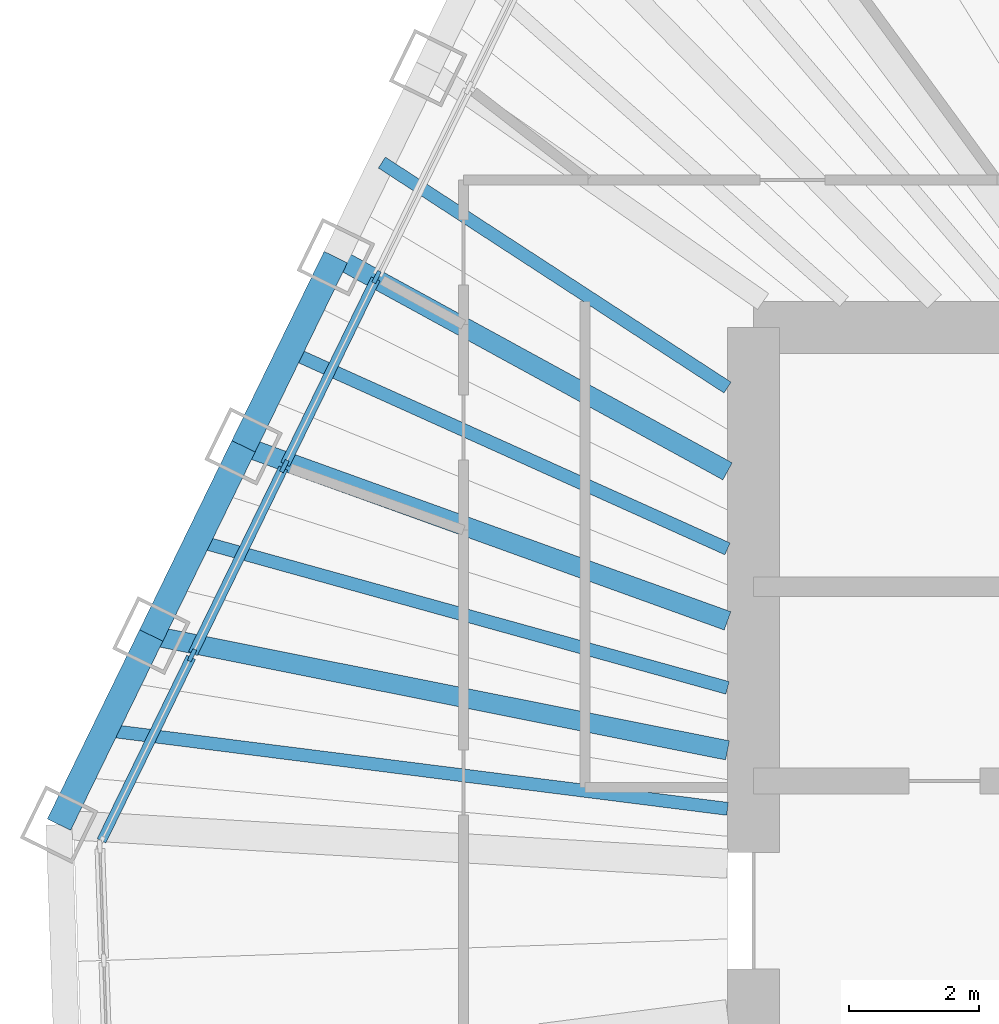
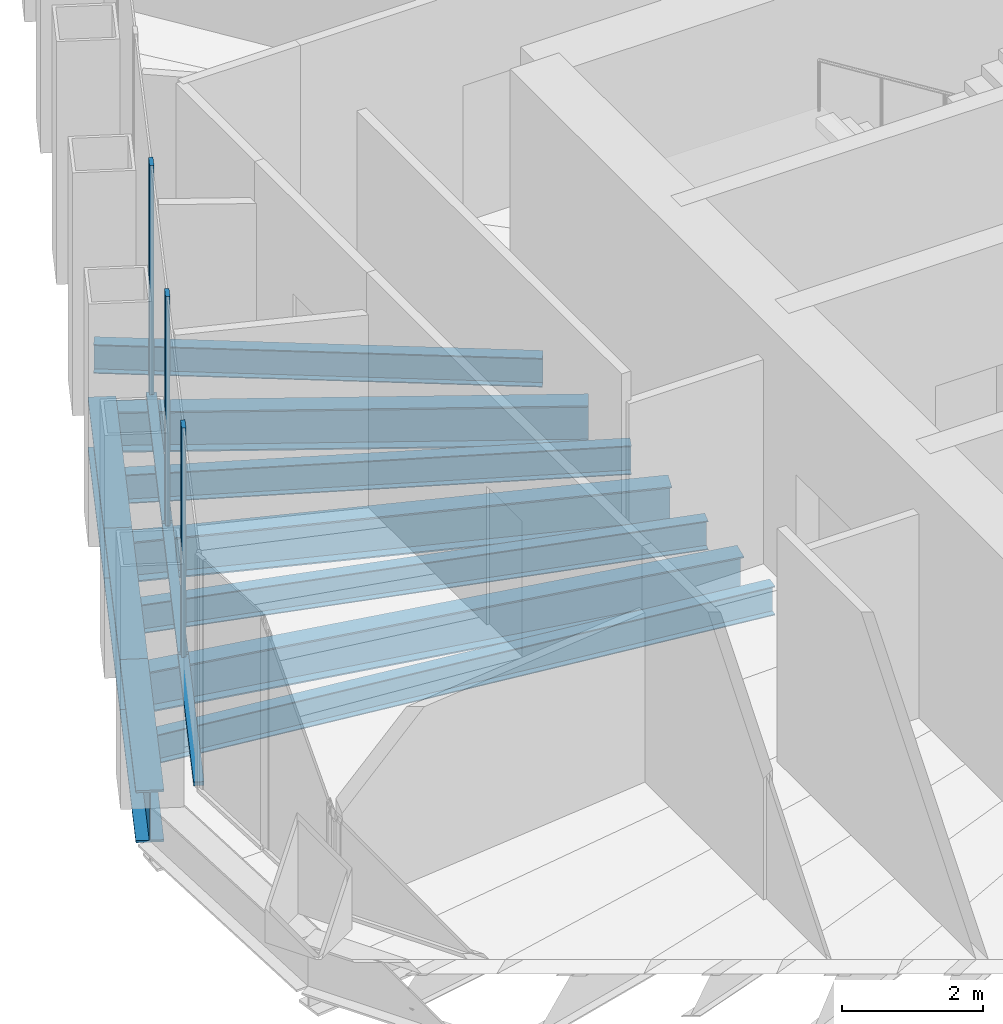
# One storey, part 4 of 15: 10 beams, 6 members, 1 element without a shape of its own.
"""IFC4 building model written with IfcOpenShell, lengths in metres."""

from ifc_helpers import new_model, si_unit, direction, frame, origin, origin_2d, place, context, subcontext, project, spatial, rectangle, i_section, extrude, material, material_profile, profile_set, type_object, element, aggregate, save


model = new_model("IFC4")

# Units and contexts
model_context = context("Model", 3, precision=1e-05, world=origin(), true_north=direction((0.0, 1.0)))
body_context = subcontext(model_context, "Body", "Model", "MODEL_VIEW")
ifc_project = project(units=[si_unit("LENGTHUNIT", "METRE"), si_unit("AREAUNIT", "SQUARE_METRE"), si_unit("VOLUMEUNIT", "CUBIC_METRE"), si_unit("PLANEANGLEUNIT", "RADIAN"), si_unit("MASSUNIT", "GRAM", prefix="KILO")], contexts=[model_context])

# Site, building, storey
site_placement = place(None, origin())
site = spatial("IfcSite", under=ifc_project, at=site_placement, CompositionType="ELEMENT")
building_placement = place(site_placement, origin())
building = spatial("IfcBuilding", under=site, at=building_placement, Name="Qingtian Harvest Tower", CompositionType="ELEMENT")
storey_placement = place(building_placement, frame((0.0, 0.0, 312.39990234375)))
storey = spatial("IfcBuildingStorey", under=building, at=storey_placement, Name="L69", CompositionType="ELEMENT", Elevation=312.39990234375)

# Beams
ifc_material_1 = material(Name="Steel SN490B", Category="steel")
ifc_material_profile_1 = material_profile(ifc_material_1, i_section(OverallWidth=0.300048828125, OverallDepth=0.699951171875, WebThickness=0.012939453125, FlangeThickness=0.02392578125, at=origin_2d()), Name="H700x300x13x24")
ifc_profile_set_1 = profile_set([ifc_material_profile_1], Name="Steel SN490B")
beam_type_1 = type_object("IfcBeamType", Name="Floor beam FB4 H700x300x13x24", PredefinedType="BEAM", material=ifc_profile_set_1)
beam_1_placement = place(storey_placement, frame((-21.29345703125, 4.246337890625, -0.52001953125), z_axis=(0.980692343585, -0.195556966723, 0.0), x_axis=(0.195556966723, 0.980692343585, 0.0)))
element("IfcBeam", 1, at=beam_1_placement, inside=storey, type_object=beam_type_1, Name="Floor beam FB4 NW1", PredefinedType="BEAM", context=body_context, shape_type="SweptSolid", body=[
    extrude(i_section(OverallWidth=0.300048828125, OverallDepth=0.699951171875, WebThickness=0.012939453125, FlangeThickness=0.02392578125, at=origin_2d()), origin(), (0.0, 0.0, 1.0), 9.068603515625),
])
beam_2_placement = place(storey_placement, frame((-19.86962890625, 7.165771484375, -0.52001953125), z_axis=(0.940696778834, -0.339248537641, 0.0), x_axis=(0.339248537641, 0.940696778834, 0.0)))
element("IfcBeam", 2, at=beam_2_placement, inside=storey, type_object=beam_type_1, Name="Floor beam FB4 NW2", PredefinedType="BEAM", context=body_context, shape_type="SweptSolid", body=[
    extrude(i_section(OverallWidth=0.300048828125, OverallDepth=0.699951171875, WebThickness=0.012939453125, FlangeThickness=0.02392578125, at=origin_2d()), origin(), (0.0, 0.0, 1.0), 7.940673828125),
])
beam_3_placement = place(storey_placement, frame((-18.44580078125, 10.0849609375, -0.52001953125), z_axis=(0.877427999734, -0.479708354402, 0.0), x_axis=(0.479708354402, 0.877427999734, 0.0)))
element("IfcBeam", 3, at=beam_3_placement, inside=storey, type_object=beam_type_1, Name="Floor beam FB4 NW3", PredefinedType="BEAM", context=body_context, shape_type="SweptSolid", body=[
    extrude(i_section(OverallWidth=0.300048828125, OverallDepth=0.699951171875, WebThickness=0.012939453125, FlangeThickness=0.02392578125, at=origin_2d()), origin(), (0.0, 0.0, 1.0), 6.890380859375),
])
ifc_material_2 = material(Name="Steel SN490B", Category="steel")
ifc_material_profile_2 = material_profile(ifc_material_2, i_section(OverallWidth=0.199951171875, OverallDepth=0.5, WebThickness=0.010009765625, FlangeThickness=0.01611328125, at=origin_2d()), Name="H500x200x10x16")
ifc_profile_set_2 = profile_set([ifc_material_profile_2], Name="Steel SN490B")
beam_type_2 = type_object("IfcBeamType", Name="Floor joist J3 H500x200x10x16", PredefinedType="JOIST", material=ifc_profile_set_2)
beam_4_placement = place(storey_placement, frame((-22.00537109375, 2.78662109375, -0.419921875), z_axis=(0.992077984062, -0.125623538954, 0.0), x_axis=(0.125623538954, 0.992077984062, 0.0)))
element("IfcBeam", 4, at=beam_4_placement, inside=storey, type_object=beam_type_2, Name="Floor joist J3 NW0", PredefinedType="JOIST", context=body_context, shape_type="SweptSolid", body=[
    extrude(i_section(OverallWidth=0.199951171875, OverallDepth=0.5, WebThickness=0.010009765625, FlangeThickness=0.01611328125, at=origin_2d()), origin(), (0.0, 0.0, 1.0), 9.68212890625),
])
beam_5_placement = place(storey_placement, frame((-20.58154296875, 5.7060546875, -0.419921875), z_axis=(0.963650445063, -0.267166277306, 0.0), x_axis=(0.267166277306, 0.963650445063, 0.0)))
element("IfcBeam", 5, at=beam_5_placement, inside=storey, type_object=beam_type_2, Name="Floor joist J3 NW1", PredefinedType="JOIST", context=body_context, shape_type="SweptSolid", body=[
    extrude(i_section(OverallWidth=0.199951171875, OverallDepth=0.5, WebThickness=0.010009765625, FlangeThickness=0.01611328125, at=origin_2d()), origin(), (0.0, 0.0, 1.0), 8.490234375),
])
beam_6_placement = place(storey_placement, frame((-19.15771484375, 8.625244140625, -0.419921875), z_axis=(0.911847523905, -0.410529040567, 0.0), x_axis=(0.410529040567, 0.911847523905, 0.0)))
element("IfcBeam", 6, at=beam_6_placement, inside=storey, type_object=beam_type_2, Name="Floor joist J3 NW2", PredefinedType="JOIST", context=body_context, shape_type="SweptSolid", body=[
    extrude(i_section(OverallWidth=0.199951171875, OverallDepth=0.5, WebThickness=0.010009765625, FlangeThickness=0.01611328125, at=origin_2d()), origin(), (0.0, 0.0, 1.0), 7.4111328125),
])
beam_7_placement = place(storey_placement, frame((-17.73388671875, 11.544677734375, -0.419921875), z_axis=(0.83806130614, -0.545576069079, 0.0), x_axis=(0.545576069079, 0.83806130614, 0.0)))
element("IfcBeam", 7, at=beam_7_placement, inside=storey, type_object=beam_type_2, Name="Floor joist J3 NW3", PredefinedType="JOIST", context=body_context, shape_type="SweptSolid", body=[
    extrude(i_section(OverallWidth=0.199951171875, OverallDepth=0.5, WebThickness=0.010009765625, FlangeThickness=0.01611328125, at=origin_2d()), origin(), (0.0, 0.0, 1.0), 6.36474609375),
])

# Curtain wall, members
ifc_material_3 = material(Name="Bronze-anodised aluminium curtain wall", Category="aluminium")
curtain_wall_type = type_object("IfcCurtainWallType", Name="Curtain wall CW5 upper office", PredefinedType="USERDEFINED", material=ifc_material_3)
curtain_wall_placement = place(storey_placement, origin())
curtain_wall = element("IfcCurtainWall", 8, at=curtain_wall_placement, inside=storey, type_object=curtain_wall_type, Name="Curtain wall CW5 L69 NW0-5", ObjectType="RECESSED CURTAIN WALL", PredefinedType="USERDEFINED")
ifc_material_4 = material(Name="Bronze-anodised aluminium mullion", Category="aluminium")
ifc_material_profile_3 = material_profile(ifc_material_4, rectangle(XDim=0.06494140625, YDim=0.199951171875, at=origin_2d()), Name="AL 65x200")
ifc_profile_set_3 = profile_set([ifc_material_profile_3], Name="Bronze-anodised aluminium mullion")
member_type_1 = type_object("IfcMemberType", Name="Mullion CWM 65x200", PredefinedType="MULLION", material=ifc_profile_set_3)
member_1_placement = place(storey_placement, frame((-20.664306640625, 3.939453125, 0.0), z_axis=(0.0, 0.0, 1.0), x_axis=(-0.898794046299, 0.438371146789, 0.0)))
member_1 = element("IfcMember", 9, at=member_1_placement, type_object=member_type_1, Name="CW5 mullion 2", PredefinedType="MULLION", context=body_context, shape_type="SweptSolid", body=[
    extrude(rectangle(XDim=0.06494140625, YDim=0.199951171875, at=origin_2d()), origin(), (0.0, 0.0, 1.0), 4.030029296875),
])
member_2_placement = place(storey_placement, frame((-19.240478515625, 6.85888671875, 0.0), z_axis=(0.0, 0.0, 1.0), x_axis=(-0.898794046299, 0.438371146789, 0.0)))
member_2 = element("IfcMember", 10, at=member_2_placement, type_object=member_type_1, Name="CW5 mullion 3", PredefinedType="MULLION", context=body_context, shape_type="SweptSolid", body=[
    extrude(rectangle(XDim=0.06494140625, YDim=0.199951171875, at=origin_2d()), origin(), (0.0, 0.0, 1.0), 4.030029296875),
])
member_3_placement = place(storey_placement, frame((-17.816650390625, 9.778076171875, 0.0), z_axis=(0.0, 0.0, 1.0), x_axis=(-0.898794046299, 0.438371146789, 0.0)))
member_3 = element("IfcMember", 11, at=member_3_placement, type_object=member_type_1, Name="CW5 mullion 4", PredefinedType="MULLION", context=body_context, shape_type="SweptSolid", body=[
    extrude(rectangle(XDim=0.06494140625, YDim=0.199951171875, at=origin_2d()), origin(), (0.0, 0.0, 1.0), 4.030029296875),
])

# Beams
ifc_material_5 = material(Name="Steel SN490B", Category="steel")
ifc_material_profile_4 = material_profile(ifc_material_5, i_section(OverallWidth=0.39990234375, OverallDepth=0.89990234375, WebThickness=0.01904296875, FlangeThickness=0.035888671875, at=origin_2d()), Name="H900x400x19x36")
ifc_profile_set_4 = profile_set([ifc_material_profile_4], Name="Steel SN490B")
beam_type_3 = type_object("IfcBeamType", Name="Spandrel beam SB4 H900x400x19x36", PredefinedType="SPANDREL", material=ifc_profile_set_4)
beam_8_placement = place(storey_placement, frame((-22.71728515625, 1.3271484375, -0.449951171875), z_axis=(0.438382164311, 0.898788672611, 0.0), x_axis=(-0.898788672611, 0.438382164311, 0.0)))
element("IfcBeam", 12, at=beam_8_placement, inside=storey, type_object=beam_type_3, Name="Spandrel SB4 NW0", PredefinedType="SPANDREL", context=body_context, shape_type="SweptSolid", body=[
    extrude(i_section(OverallWidth=0.39990234375, OverallDepth=0.89990234375, WebThickness=0.01904296875, FlangeThickness=0.035888671875, at=origin_2d()), origin(), (0.0, 0.0, 1.0), 3.247802734375),
])
beam_9_placement = place(storey_placement, frame((-21.29345703125, 4.246337890625, -0.449951171875), z_axis=(0.438352548749, 0.898803116931, 0.0), x_axis=(-0.898803116931, 0.438352548749, 0.0)))
element("IfcBeam", 13, at=beam_9_placement, inside=storey, type_object=beam_type_3, Name="Spandrel SB4 NW1", PredefinedType="SPANDREL", context=body_context, shape_type="SweptSolid", body=[
    extrude(i_section(OverallWidth=0.39990234375, OverallDepth=0.89990234375, WebThickness=0.01904296875, FlangeThickness=0.035888671875, at=origin_2d()), origin(), (0.0, 0.0, 1.0), 3.248046875),
])
beam_10_placement = place(storey_placement, frame((-19.86962890625, 7.165771484375, -0.449951171875), z_axis=(0.438382164311, 0.898788672611, 0.0), x_axis=(-0.898788672611, 0.438382164311, 0.0)))
element("IfcBeam", 14, at=beam_10_placement, inside=storey, type_object=beam_type_3, Name="Spandrel SB4 NW2", PredefinedType="SPANDREL", context=body_context, shape_type="SweptSolid", body=[
    extrude(i_section(OverallWidth=0.39990234375, OverallDepth=0.89990234375, WebThickness=0.01904296875, FlangeThickness=0.035888671875, at=origin_2d()), origin(), (0.0, 0.0, 1.0), 3.247802734375),
])

# Member
ifc_material_6 = material(Name="Bronze-anodised aluminium transom", Category="aluminium")
ifc_material_profile_5 = material_profile(ifc_material_6, rectangle(XDim=0.14990234375, YDim=0.06494140625, at=origin_2d()), Name="AL 65x150")
ifc_profile_set_5 = profile_set([ifc_material_profile_5], Name="Bronze-anodised aluminium transom")
member_type_2 = type_object("IfcMemberType", Name="Transom CWT 65x150", PredefinedType="USERDEFINED", material=ifc_profile_set_5)
member_4_placement = place(storey_placement, frame((-22.059814453125, 1.07861328125, 0.03271484375), z_axis=(0.438357982629, 0.89880046677, 0.0), x_axis=(-0.89880046677, 0.438357982629, 0.0)))
member_4 = element("IfcMember", 15, at=member_4_placement, type_object=member_type_2, Name="CW5 transom 1.1", ObjectType="TRANSOM", PredefinedType="USERDEFINED", context=body_context, shape_type="SweptSolid", body=[
    extrude(rectangle(XDim=0.14990234375, YDim=0.06494140625, at=origin_2d()), origin(), (0.0, 0.0, 1.0), 3.150634765625),
])

member_5_placement = place(storey_placement, frame((-20.650146484375, 3.96875, 0.03271484375), z_axis=(0.438355626738, 0.898801615768, 0.0), x_axis=(-0.898801615768, 0.438355626738, 0.0)))
member_5 = element("IfcMember", 16, at=member_5_placement, type_object=member_type_2, Name="CW5 transom 2.1", ObjectType="TRANSOM", PredefinedType="USERDEFINED", context=body_context, shape_type="SweptSolid", body=[
    extrude(rectangle(XDim=0.14990234375, YDim=0.06494140625, at=origin_2d()), origin(), (0.0, 0.0, 1.0), 3.182861328125),
])

member_6_placement = place(storey_placement, frame((-19.226318359375, 6.887939453125, 0.03271484375), z_axis=(0.438325408134, 0.898816353091, 0.0), x_axis=(-0.898816353091, 0.438325408134, 0.0)))
member_6 = element("IfcMember", 17, at=member_6_placement, type_object=member_type_2, Name="CW5 transom 3.1", ObjectType="TRANSOM", PredefinedType="USERDEFINED", context=body_context, shape_type="SweptSolid", body=[
    extrude(rectangle(XDim=0.14990234375, YDim=0.06494140625, at=origin_2d()), origin(), (0.0, 0.0, 1.0), 3.18310546875),
])

aggregate(curtain_wall, [member_1, member_2, member_3, member_4, member_5, member_6])

save(model, "model.ifc")
